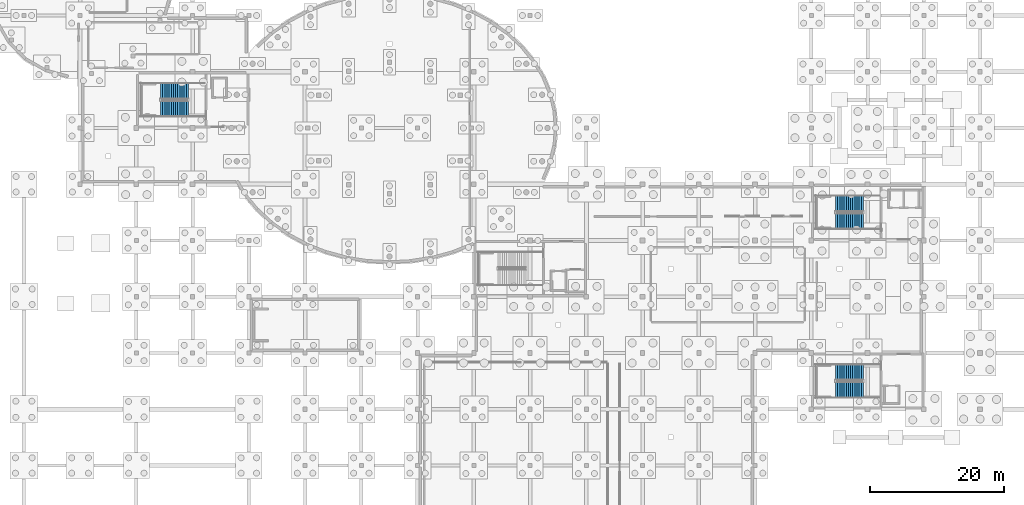
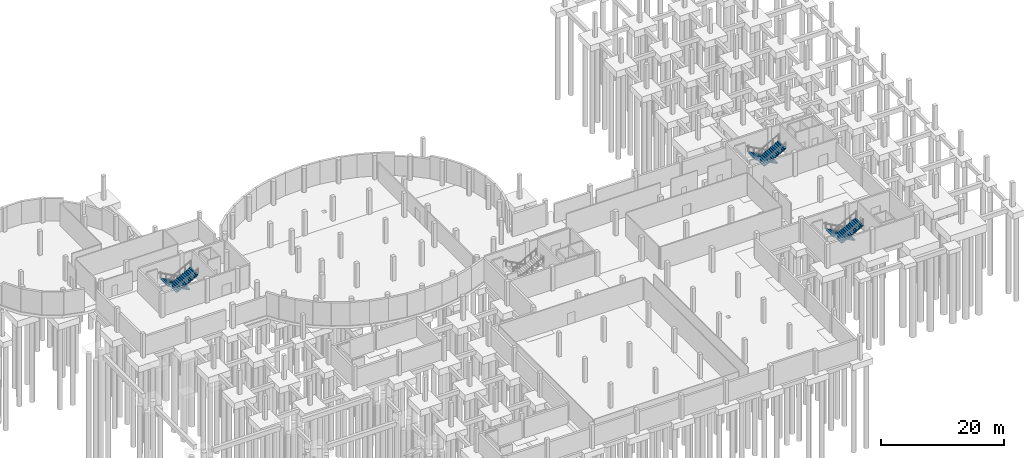
# One storey, part 19 of 24: 6 stair flights, 3 elements without a shape of their own.
"""IFC4 building model written with IfcOpenShell, lengths in metres."""

from ifc_helpers import new_model, si_unit, derived_unit, direction, frame, origin, place, context, subcontext, project, spatial, polyline, outline, extrude, material, type_object, element, aggregate, save


model = new_model("IFC4")

# Units and contexts
model_context = context("Model", 3, precision=1e-05, world=origin(), true_north=direction((0.0, 1.0)))
body_context = subcontext(model_context, "Body", "Model", "MODEL_VIEW")
ifc_project = project(units=[si_unit("LENGTHUNIT", "METRE"), si_unit("AREAUNIT", "SQUARE_METRE"), si_unit("VOLUMEUNIT", "CUBIC_METRE"), si_unit("PLANEANGLEUNIT", "RADIAN"), si_unit("MASSUNIT", "GRAM", prefix="KILO"), derived_unit("THERMALTRANSMITTANCEUNIT", [(si_unit("POWERUNIT", "WATT"), 1), (si_unit("LENGTHUNIT", "METRE"), -2), (si_unit("THERMODYNAMICTEMPERATUREUNIT", "KELVIN"), -1)])], contexts=[model_context])

# Site, building, storey
site_placement = place(None, origin())
site = spatial("IfcSite", under=ifc_project, at=site_placement, CompositionType="ELEMENT")
building_placement = place(site_placement, origin())
building = spatial("IfcBuilding", under=site, at=building_placement, Name="Elbkamm Science Centre", CompositionType="ELEMENT")
storey_placement = place(building_placement, frame((0.0, 0.0, -4.800048828125)))
storey = spatial("IfcBuildingStorey", under=building, at=storey_placement, Name="B01", CompositionType="ELEMENT", Elevation=-4.800048828125)

# Stair, stair flights
ifc_material = material(Name="Reinforced concrete C40/50", Category="concrete")
stair_type = type_object("IfcStairType", Name="ST-TWO-28R-242", PredefinedType="USERDEFINED", material=ifc_material)
stair_1_placement = place(storey_placement, origin())
stair_1 = element("IfcStair", 1, at=stair_1_placement, inside=storey, type_object=stair_type, Name="B01 Core C1 Northwest Planetarium and Exhibition Core Escape Stair", ObjectType="TWO_RETURN_STAIR", PredefinedType="USERDEFINED")
stair_flight_type = type_object("IfcStairFlightType", Name="FLT-14R-171MM-242", PredefinedType="STRAIGHT", material=ifc_material)
stair_flight_1_placement = place(storey_placement, frame((32.97998046875, 72.7099609375, 0.0), z_axis=(0.0, 0.0, 1.0), x_axis=(-1.0, 0.0, 0.0)))
stair_flight_1 = element("IfcStairFlight", 2, at=stair_flight_1_placement, type_object=stair_flight_type, Name="ST-C1 flight 1", NumberOfRisers=14, NumberOfTreads=13, PredefinedType="STRAIGHT", RiserHeight=0.171428571, TreadLength=0.32, context=body_context, shape_type="SweptSolid", body=[
    extrude(outline(polyline([(0.0, 0.0), (0.0, 0.17138671875), (0.320068359375, 0.17138671875), (0.320068359375, 0.3427734375), (0.639892578125, 0.3427734375), (0.639892578125, 0.514404296875), (0.9599609375, 0.514404296875), (0.9599609375, 0.685791015625), (1.280029296875, 0.685791015625), (1.280029296875, 0.857177734375), (1.60009765625, 0.857177734375), (1.60009765625, 1.028564453125), (1.919921875, 1.028564453125), (1.919921875, 1.199951171875), (2.239990234375, 1.199951171875), (2.239990234375, 1.371337890625), (2.56005859375, 1.371337890625), (2.56005859375, 1.54296875), (2.8798828125, 1.54296875), (2.8798828125, 1.71435546875), (3.199951171875, 1.71435546875), (3.199951171875, 1.8857421875), (3.52001953125, 1.8857421875), (3.52001953125, 2.05712890625), (3.840087890625, 2.05712890625), (3.840087890625, 2.228515625), (4.159912109375, 2.228515625), (4.159912109375, 2.39990234375), (4.159912109375, 2.047119140625), (0.338623046875, 0.0), (0.0, 0.0)])), frame((0.0, 1.2099609375, 0.0), z_axis=(0.0, -1.0, 0.0), x_axis=(1.0, 0.0, 0.0)), (0.0, 0.0, 1.0), 2.419921875),
])
stair_flight_2_placement = place(storey_placement, frame((28.820068359375, 70.090087890625, 2.400146484375), z_axis=(0.0, 0.0, 1.0), x_axis=(1.0, 0.0, 0.0)))
stair_flight_2 = element("IfcStairFlight", 3, at=stair_flight_2_placement, type_object=stair_flight_type, Name="ST-C1 flight 2", NumberOfRisers=14, NumberOfTreads=13, PredefinedType="STRAIGHT", RiserHeight=0.171428571, TreadLength=0.32, context=body_context, shape_type="SweptSolid", body=[
    extrude(outline(polyline([(0.0, 0.0), (0.0, 0.17138671875), (0.320068359375, 0.17138671875), (0.320068359375, 0.3427734375), (0.639892578125, 0.3427734375), (0.639892578125, 0.514404296875), (0.9599609375, 0.514404296875), (0.9599609375, 0.685791015625), (1.280029296875, 0.685791015625), (1.280029296875, 0.857177734375), (1.60009765625, 0.857177734375), (1.60009765625, 1.028564453125), (1.919921875, 1.028564453125), (1.919921875, 1.199951171875), (2.239990234375, 1.199951171875), (2.239990234375, 1.371337890625), (2.56005859375, 1.371337890625), (2.56005859375, 1.54296875), (2.8798828125, 1.54296875), (2.8798828125, 1.71435546875), (3.199951171875, 1.71435546875), (3.199951171875, 1.8857421875), (3.52001953125, 1.8857421875), (3.52001953125, 2.05712890625), (3.840087890625, 2.05712890625), (3.840087890625, 2.228515625), (4.159912109375, 2.228515625), (4.159912109375, 2.39990234375), (4.159912109375, 2.047119140625), (0.338623046875, 0.0), (0.0, 0.0)])), frame((0.0, 1.2099609375, 0.0), z_axis=(0.0, -1.0, 0.0), x_axis=(1.0, 0.0, 0.0)), (0.0, 0.0, 1.0), 2.419921875),
])
aggregate(stair_1, [stair_flight_1, stair_flight_2])

stair_2_placement = place(storey_placement, origin())
stair_2 = element("IfcStair", 4, at=stair_2_placement, inside=storey, type_object=stair_type, Name="B01 Core C3 Northeast Laboratories and Observatory Core Escape Stair", ObjectType="TWO_RETURN_STAIR", PredefinedType="USERDEFINED")
stair_flight_3_placement = place(storey_placement, frame((133.780029296875, 55.909912109375, 0.0), z_axis=(0.0, 0.0, 1.0), x_axis=(-1.0, 0.0, 0.0)))
stair_flight_3 = element("IfcStairFlight", 5, at=stair_flight_3_placement, type_object=stair_flight_type, Name="ST-C3 flight 1", NumberOfRisers=14, NumberOfTreads=13, PredefinedType="STRAIGHT", RiserHeight=0.171428571, TreadLength=0.32, context=body_context, shape_type="SweptSolid", body=[
    extrude(outline(polyline([(0.0, 0.0), (0.0, 0.17138671875), (0.320068359375, 0.17138671875), (0.320068359375, 0.3427734375), (0.639892578125, 0.3427734375), (0.639892578125, 0.514404296875), (0.9599609375, 0.514404296875), (0.9599609375, 0.685791015625), (1.280029296875, 0.685791015625), (1.280029296875, 0.857177734375), (1.60009765625, 0.857177734375), (1.60009765625, 1.028564453125), (1.919921875, 1.028564453125), (1.919921875, 1.199951171875), (2.239990234375, 1.199951171875), (2.239990234375, 1.371337890625), (2.56005859375, 1.371337890625), (2.56005859375, 1.54296875), (2.8798828125, 1.54296875), (2.8798828125, 1.71435546875), (3.199951171875, 1.71435546875), (3.199951171875, 1.8857421875), (3.52001953125, 1.8857421875), (3.52001953125, 2.05712890625), (3.840087890625, 2.05712890625), (3.840087890625, 2.228515625), (4.159912109375, 2.228515625), (4.159912109375, 2.39990234375), (4.159912109375, 2.047119140625), (0.338623046875, 0.0), (0.0, 0.0)])), frame((0.0, 1.2099609375, 0.0), z_axis=(0.0, -1.0, 0.0), x_axis=(1.0, 0.0, 0.0)), (0.0, 0.0, 1.0), 2.419921875),
])
stair_flight_4_placement = place(storey_placement, frame((129.6201171875, 53.2900390625, 2.400146484375), z_axis=(0.0, 0.0, 1.0), x_axis=(1.0, 0.0, 0.0)))
stair_flight_4 = element("IfcStairFlight", 6, at=stair_flight_4_placement, type_object=stair_flight_type, Name="ST-C3 flight 2", NumberOfRisers=14, NumberOfTreads=13, PredefinedType="STRAIGHT", RiserHeight=0.171428571, TreadLength=0.32, context=body_context, shape_type="SweptSolid", body=[
    extrude(outline(polyline([(0.0, 0.0), (0.0, 0.17138671875), (0.320068359375, 0.17138671875), (0.320068359375, 0.3427734375), (0.639892578125, 0.3427734375), (0.639892578125, 0.514404296875), (0.9599609375, 0.514404296875), (0.9599609375, 0.685791015625), (1.280029296875, 0.685791015625), (1.280029296875, 0.857177734375), (1.60009765625, 0.857177734375), (1.60009765625, 1.028564453125), (1.919921875, 1.028564453125), (1.919921875, 1.199951171875), (2.239990234375, 1.199951171875), (2.239990234375, 1.371337890625), (2.56005859375, 1.371337890625), (2.56005859375, 1.54296875), (2.8798828125, 1.54296875), (2.8798828125, 1.71435546875), (3.199951171875, 1.71435546875), (3.199951171875, 1.8857421875), (3.52001953125, 1.8857421875), (3.52001953125, 2.05712890625), (3.840087890625, 2.05712890625), (3.840087890625, 2.228515625), (4.159912109375, 2.228515625), (4.159912109375, 2.39990234375), (4.159912109375, 2.047119140625), (0.338623046875, 0.0), (0.0, 0.0)])), frame((0.0, 1.2099609375, 0.0), z_axis=(0.0, -1.0, 0.0), x_axis=(1.0, 0.0, 0.0)), (0.0, 0.0, 1.0), 2.419921875),
])
aggregate(stair_2, [stair_flight_3, stair_flight_4])

stair_3_placement = place(storey_placement, origin())
stair_3 = element("IfcStair", 7, at=stair_3_placement, inside=storey, type_object=stair_type, Name="B01 Core C4 Southeast Workshops and Library Core Escape Stair", ObjectType="TWO_RETURN_STAIR", PredefinedType="USERDEFINED")
stair_flight_5_placement = place(storey_placement, frame((133.780029296875, 30.7099609375, 0.0), z_axis=(0.0, 0.0, 1.0), x_axis=(-1.0, 0.0, 0.0)))
stair_flight_5 = element("IfcStairFlight", 8, at=stair_flight_5_placement, type_object=stair_flight_type, Name="ST-C4 flight 1", NumberOfRisers=14, NumberOfTreads=13, PredefinedType="STRAIGHT", RiserHeight=0.171428571, TreadLength=0.32, context=body_context, shape_type="SweptSolid", body=[
    extrude(outline(polyline([(0.0, 0.0), (0.0, 0.17138671875), (0.320068359375, 0.17138671875), (0.320068359375, 0.3427734375), (0.639892578125, 0.3427734375), (0.639892578125, 0.514404296875), (0.9599609375, 0.514404296875), (0.9599609375, 0.685791015625), (1.280029296875, 0.685791015625), (1.280029296875, 0.857177734375), (1.60009765625, 0.857177734375), (1.60009765625, 1.028564453125), (1.919921875, 1.028564453125), (1.919921875, 1.199951171875), (2.239990234375, 1.199951171875), (2.239990234375, 1.371337890625), (2.56005859375, 1.371337890625), (2.56005859375, 1.54296875), (2.8798828125, 1.54296875), (2.8798828125, 1.71435546875), (3.199951171875, 1.71435546875), (3.199951171875, 1.8857421875), (3.52001953125, 1.8857421875), (3.52001953125, 2.05712890625), (3.840087890625, 2.05712890625), (3.840087890625, 2.228515625), (4.159912109375, 2.228515625), (4.159912109375, 2.39990234375), (4.159912109375, 2.047119140625), (0.338623046875, 0.0), (0.0, 0.0)])), frame((0.0, 1.2099609375, 0.0), z_axis=(0.0, -1.0, 0.0), x_axis=(1.0, 0.0, 0.0)), (0.0, 0.0, 1.0), 2.419921875),
])
stair_flight_6_placement = place(storey_placement, frame((129.6201171875, 28.090087890625, 2.400146484375), z_axis=(0.0, 0.0, 1.0), x_axis=(1.0, 0.0, 0.0)))
stair_flight_6 = element("IfcStairFlight", 9, at=stair_flight_6_placement, type_object=stair_flight_type, Name="ST-C4 flight 2", NumberOfRisers=14, NumberOfTreads=13, PredefinedType="STRAIGHT", RiserHeight=0.171428571, TreadLength=0.32, context=body_context, shape_type="SweptSolid", body=[
    extrude(outline(polyline([(0.0, 0.0), (0.0, 0.17138671875), (0.320068359375, 0.17138671875), (0.320068359375, 0.3427734375), (0.639892578125, 0.3427734375), (0.639892578125, 0.514404296875), (0.9599609375, 0.514404296875), (0.9599609375, 0.685791015625), (1.280029296875, 0.685791015625), (1.280029296875, 0.857177734375), (1.60009765625, 0.857177734375), (1.60009765625, 1.028564453125), (1.919921875, 1.028564453125), (1.919921875, 1.199951171875), (2.239990234375, 1.199951171875), (2.239990234375, 1.371337890625), (2.56005859375, 1.371337890625), (2.56005859375, 1.54296875), (2.8798828125, 1.54296875), (2.8798828125, 1.71435546875), (3.199951171875, 1.71435546875), (3.199951171875, 1.8857421875), (3.52001953125, 1.8857421875), (3.52001953125, 2.05712890625), (3.840087890625, 2.05712890625), (3.840087890625, 2.228515625), (4.159912109375, 2.228515625), (4.159912109375, 2.39990234375), (4.159912109375, 2.047119140625), (0.338623046875, 0.0), (0.0, 0.0)])), frame((0.0, 1.2099609375, 0.0), z_axis=(0.0, -1.0, 0.0), x_axis=(1.0, 0.0, 0.0)), (0.0, 0.0, 1.0), 2.419921875),
])
aggregate(stair_3, [stair_flight_5, stair_flight_6])

save(model, "model.ifc")
